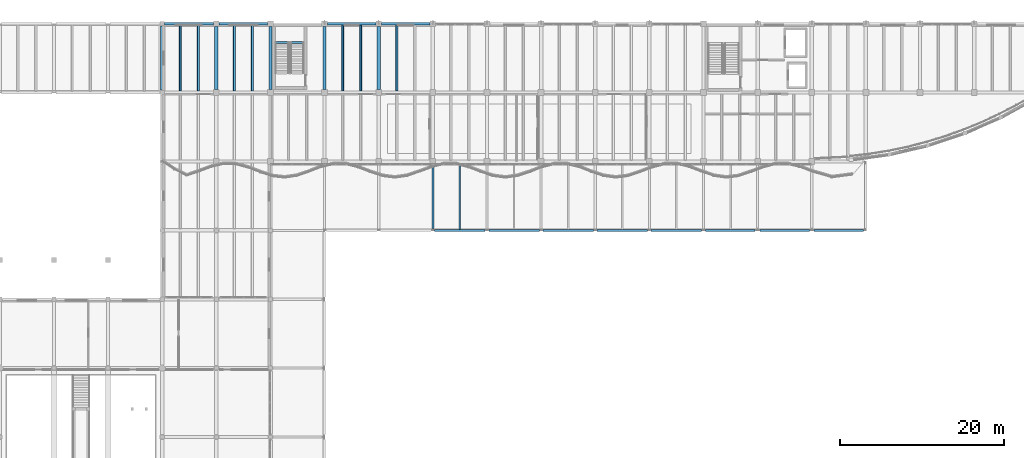
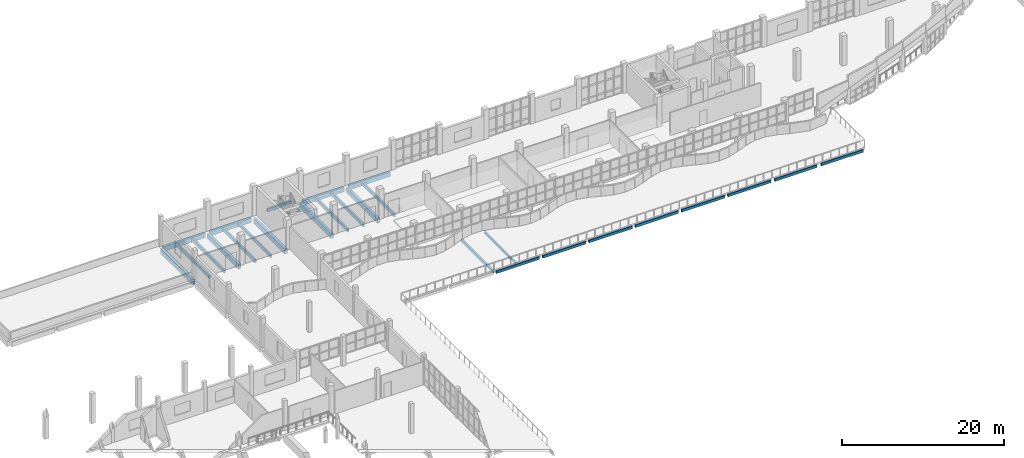
# One storey, part 12 of 83: 27 beams.
"""IFC4 building model written with IfcOpenShell, lengths in metres."""

import ifcopenshell
import ifcopenshell.guid

model = None  # the IFC model being written
_history = None  # IfcOwnerHistory: only IFC2X3 demands one
_inside = {}  # id of a spatial element -> (the spatial element, [elements in it])
_under = {}  # id of a project, library or spatial element -> (it, [spatial elements below it])
_declared = {}  # id of a project -> (the project, [libraries it declares])
_typed = {}  # id of a type object -> (the type object, [elements of that type])
_made_of = {}  # id of a material, layer set ... -> (it, [elements and type objects made of it])


def new_model(schema):
    """Start an empty IFC model of exactly this schema.

    Asked for "IFC4X3", IfcOpenShell would pick the latest addendum, in which some entities
    have other attributes; the version numbers below select the first issue.
    IFC2X3 requires an IfcOwnerHistory on every rooted entity: one is made here for all.
    """
    global model, _history
    if schema == "IFC4X3":
        model = ifcopenshell.file(schema_version=(4, 3, 0, 0))
    else:
        model = ifcopenshell.file(schema=schema)
    _inside.clear()
    _under.clear()
    _declared.clear()
    _typed.clear()
    _made_of.clear()
    _history = None
    if model.schema == "IFC2X3":
        org = make("IfcOrganization", Name="unknown")
        user = make(
            "IfcPersonAndOrganization",
            ThePerson=make("IfcPerson", FamilyName="unknown"),
            TheOrganization=org,
        )
        app = make(
            "IfcApplication",
            ApplicationDeveloper=org,
            Version="unknown",
            ApplicationFullName="unknown",
            ApplicationIdentifier="unknown",
        )
        _history = make(
            "IfcOwnerHistory",
            OwningUser=user,
            OwningApplication=app,
            ChangeAction="ADDED",
            CreationDate=0,
        )
    return model


def make(cls, **values):
    """One entity of the class cls with the attributes given. An attribute that is None is left unset."""
    return model.create_entity(
        cls, **{name: value for name, value in values.items() if value is not None}
    )


def rooted(cls, **values):
    """An entity with a GlobalId (a new one), such as an element, a storey or a relation."""
    return make(cls, GlobalId=ifcopenshell.guid.new(), OwnerHistory=_history, **values)


def si_unit(unit_type, name, prefix=None):
    """IfcSIUnit, for example si_unit("LENGTHUNIT", "METRE", prefix="MILLI")."""
    return make("IfcSIUnit", UnitType=unit_type, Prefix=prefix, Name=name)


def assignment(units):
    """IfcUnitAssignment: the units of a project."""
    return None if units is None else make("IfcUnitAssignment", Units=units)


def point(xyz):
    """IfcCartesianPoint."""
    return None if xyz is None else make("IfcCartesianPoint", Coordinates=xyz)


def direction(xyz):
    """IfcDirection."""
    return None if xyz is None else make("IfcDirection", DirectionRatios=xyz)


def frame(location, z_axis=None, x_axis=None):
    """IfcAxis2Placement3D, a coordinate frame: its origin and axes. An axis left out is left unset."""
    return make(
        "IfcAxis2Placement3D",
        Location=point(location),
        Axis=direction(z_axis),
        RefDirection=direction(x_axis),
    )


def frame_2d(location, x_axis=None):
    """IfcAxis2Placement2D, a coordinate frame in the plane: its origin and x axis."""
    return make(
        "IfcAxis2Placement2D", Location=point(location), RefDirection=direction(x_axis)
    )


def origin():
    """The frame at (0, 0, 0) with its axes left unset."""
    return frame((0.0, 0.0, 0.0))


def origin_2d():
    """The frame at (0, 0) in the plane with its x axis left unset."""
    return frame_2d((0.0, 0.0))


def place(relative_to, where):
    """IfcLocalPlacement: puts the frame where relative to a parent placement (None: the world)."""
    return make(
        "IfcLocalPlacement", PlacementRelTo=relative_to, RelativePlacement=where
    )


def context(
    kind, dimensions, precision=None, world=None, true_north=None, identifier=None
):
    """IfcGeometricRepresentationContext, for example the 3D "Model" context."""
    return make(
        "IfcGeometricRepresentationContext",
        ContextIdentifier=identifier,
        ContextType=kind,
        CoordinateSpaceDimension=dimensions,
        Precision=precision,
        WorldCoordinateSystem=world,
        TrueNorth=true_north,
    )


def subcontext(parent, identifier, kind, view, scale=None):
    """IfcGeometricRepresentationSubContext, for example "Body" below "Model"."""
    return make(
        "IfcGeometricRepresentationSubContext",
        ContextIdentifier=identifier,
        ContextType=kind,
        ParentContext=parent,
        TargetScale=scale,
        TargetView=view,
    )


def project(units=None, contexts=None):
    """IfcProject with its units and contexts."""
    return rooted(
        "IfcProject",
        Name="project",
        RepresentationContexts=contexts,
        UnitsInContext=assignment(units),
    )


def spatial(cls, under=None, at=None, **own):
    """A site, building, storey or space (cls), placed at a placement, below another one or the project."""
    s = rooted(cls, ObjectPlacement=at, **own)
    if under is not None:
        _under.setdefault(under.id(), (under, []))[1].append(s)
    return s


def profile(cls, at=None, kind="AREA", **sizes):
    """A parametric profile (cls). Its sizes go by their IFC names, for example OverallWidth=200.0."""
    return make(cls, ProfileType=kind, Position=at, **sizes)


def rectangle(**sizes):
    """IfcRectangleProfileDef."""
    return profile("IfcRectangleProfileDef", **sizes)


def i_section(**sizes):
    """IfcIShapeProfileDef."""
    return profile("IfcIShapeProfileDef", **sizes)


def extrude(swept, where, along, depth):
    """IfcExtrudedAreaSolid: the profile swept, set in the frame where, extruded along a direction by depth."""
    return make(
        "IfcExtrudedAreaSolid",
        SweptArea=swept,
        Position=where,
        ExtrudedDirection=direction(along),
        Depth=depth,
    )


def shape(context_of_items, identifier, shape_type, items):
    """IfcShapeRepresentation: the items that make up one representation, for example the "Body"."""
    return make(
        "IfcShapeRepresentation",
        ContextOfItems=context_of_items,
        RepresentationIdentifier=identifier,
        RepresentationType=shape_type,
        Items=items,
    )


def material(Name=None, Category=None):
    """IfcMaterial."""
    return make("IfcMaterial", Name=Name, Category=Category)


def material_profile(
    of_material, cross_section, Name=None, Category=None, Priority=None
):
    """IfcMaterialProfile: a cross section and its material."""
    return make(
        "IfcMaterialProfile",
        Name=Name,
        Material=of_material,
        Profile=cross_section,
        Priority=Priority,
        Category=Category,
    )


def profile_set(profiles, Name=None, composite=None):
    """IfcMaterialProfileSet."""
    return make(
        "IfcMaterialProfileSet",
        Name=Name,
        MaterialProfiles=profiles,
        CompositeProfile=composite,
    )


def made_of(thing, what):
    """Note that an element or type object is made of a material, layer set ...; save() writes the relation."""
    if what is not None:
        _made_of.setdefault(what.id(), (what, []))[1].append(thing)
    return thing


def type_object(cls, material=None, **own):
    """A type object (cls), such as IfcWallType, which elements share."""
    return made_of(rooted(cls, **own), material)


def element(
    cls,
    number,
    at=None,
    inside=None,
    cuts=None,
    type_object=None,
    material=None,
    context=None,
    identifier="Body",
    shape_type=None,
    held_by="IfcProductDefinitionShape",
    body=None,
    shapes=None,
    **own,
):
    """One element of the class cls, such as IfcWall. Its Tag is "e" and its number.

    at: its placement. inside: the storey or other place that contains it. cuts: it is an
    opening in that element (IfcRelVoidsElement). A single representation is given by context,
    identifier, shape_type and body (its items); several are given by shapes. held_by: the class
    of the entity that holds the representations. save() writes the other relations.
    """
    e = rooted(cls, Tag="e%d" % number, ObjectPlacement=at, **own)
    if body is not None:
        shapes = [shape(context, identifier, shape_type, body)]
    if shapes is not None:
        e.Representation = make(held_by, Representations=shapes)
    if inside is not None:
        _inside.setdefault(inside.id(), (inside, []))[1].append(e)
    if cuts is not None:
        rooted(
            "IfcRelVoidsElement", RelatingBuildingElement=cuts, RelatedOpeningElement=e
        )
    if type_object is not None:
        _typed.setdefault(type_object.id(), (type_object, []))[1].append(e)
    return made_of(e, material)


def aggregate(whole, parts):
    """IfcRelAggregates: a whole, such as a stair, and the parts it consists of."""
    return rooted("IfcRelAggregates", RelatingObject=whole, RelatedObjects=parts)


def save(model, path):
    """Write the relations noted so far, then the file.

    IfcRelAggregates (storeys below a building ...), IfcRelContainedInSpatialStructure (elements
    in a storey), IfcRelDefinesByType, IfcRelAssociatesMaterial and IfcRelDeclares: one each for
    every whole, place, type object, material and project.
    """
    for whole, parts in _under.values():
        aggregate(whole, parts)
    for where, things in _inside.values():
        rooted(
            "IfcRelContainedInSpatialStructure",
            RelatedElements=things,
            RelatingStructure=where,
        )
    for kind, things in _typed.values():
        rooted("IfcRelDefinesByType", RelatedObjects=things, RelatingType=kind)
    for what, things in _made_of.values():
        rooted("IfcRelAssociatesMaterial", RelatedObjects=things, RelatingMaterial=what)
    for by, libraries in _declared.values():
        rooted("IfcRelDeclares", RelatingContext=by, RelatedDefinitions=libraries)
    model.write(path)


model = new_model("IFC4")

# Units and contexts
model_context = context("Model", 3, precision=1e-05, world=origin(), true_north=direction((0.0, 1.0)))
body_context = subcontext(model_context, "Body", "Model", "MODEL_VIEW")
ifc_project = project(units=[si_unit("LENGTHUNIT", "METRE"), si_unit("AREAUNIT", "SQUARE_METRE"), si_unit("VOLUMEUNIT", "CUBIC_METRE"), si_unit("PLANEANGLEUNIT", "RADIAN"), si_unit("MASSUNIT", "GRAM", prefix="KILO")], contexts=[model_context])

# Site, building, storey
site_placement = place(None, origin())
site = spatial("IfcSite", under=ifc_project, at=site_placement, CompositionType="ELEMENT")
building_placement = place(site_placement, origin())
building = spatial("IfcBuilding", under=site, at=building_placement, Name="Qaldarim Faculty of Natural and Applied Sciences", CompositionType="ELEMENT")
storey_placement = place(building_placement, frame((0.0, 0.0, 5.39990234375)))
storey = spatial("IfcBuildingStorey", under=building, at=storey_placement, Name="L01", CompositionType="ELEMENT", Elevation=5.39990234375)

# Beams
ifc_material_1 = material(Name="Concrete C40/50", Category="concrete")
ifc_material_profile_1 = material_profile(ifc_material_1, rectangle(XDim=0.25, YDim=0.39990234375, at=origin_2d()), Name="RC-LN250x400")
ifc_profile_set_1 = profile_set([ifc_material_profile_1], Name="Concrete C40/50")
beam_type_1 = type_object("IfcBeamType", Name="ArcadeLintel-RC250x400", PredefinedType="LINTEL", material=ifc_profile_set_1)
beam_1_placement = place(storey_placement, frame((66.22509765625, 92.39990234375, -0.39990234375), z_axis=(1.0, 0.0, 0.0), x_axis=(0.0, 1.0, 0.0)))
element("IfcBeam", 1, at=beam_1_placement, inside=storey, type_object=beam_type_1, Name="Beam RC-LN250x400 L00 X11-X12/Y12", PredefinedType="LINTEL", context=body_context, shape_type="SweptSolid", body=[
    extrude(rectangle(XDim=0.25, YDim=0.39990234375, at=origin_2d()), origin(), (0.0, 0.0, 1.0), 6.14990234375),
])
beam_2_placement = place(storey_placement, frame((72.824951171875, 92.39990234375, -0.39990234375), z_axis=(1.0, 0.0, 0.0), x_axis=(0.0, 1.0, 0.0)))
element("IfcBeam", 2, at=beam_2_placement, inside=storey, type_object=beam_type_1, Name="Beam RC-LN250x400 L00 X12-X13/Y12", PredefinedType="LINTEL", context=body_context, shape_type="SweptSolid", body=[
    extrude(rectangle(XDim=0.25, YDim=0.39990234375, at=origin_2d()), origin(), (0.0, 0.0, 1.0), 6.150146484375),
])
beam_3_placement = place(storey_placement, frame((79.425048828125, 92.39990234375, -0.39990234375), z_axis=(1.0, 0.0, 0.0), x_axis=(0.0, 1.0, 0.0)))
element("IfcBeam", 3, at=beam_3_placement, inside=storey, type_object=beam_type_1, Name="Beam RC-LN250x400 L00 X13-X14/Y12", PredefinedType="LINTEL", context=body_context, shape_type="SweptSolid", body=[
    extrude(rectangle(XDim=0.25, YDim=0.39990234375, at=origin_2d()), origin(), (0.0, 0.0, 1.0), 6.14990234375),
])
beam_4_placement = place(storey_placement, frame((86.02490234375, 92.39990234375, -0.39990234375), z_axis=(1.0, 0.0, 0.0), x_axis=(0.0, 1.0, 0.0)))
element("IfcBeam", 4, at=beam_4_placement, inside=storey, type_object=beam_type_1, Name="Beam RC-LN250x400 L00 X14-X15/Y12", PredefinedType="LINTEL", context=body_context, shape_type="SweptSolid", body=[
    extrude(rectangle(XDim=0.25, YDim=0.39990234375, at=origin_2d()), origin(), (0.0, 0.0, 1.0), 6.150146484375),
])
beam_5_placement = place(storey_placement, frame((92.625, 92.39990234375, -0.39990234375), z_axis=(1.0, 0.0, 0.0), x_axis=(0.0, 1.0, 0.0)))
element("IfcBeam", 5, at=beam_5_placement, inside=storey, type_object=beam_type_1, Name="Beam RC-LN250x400 L00 X15-X16/Y12", PredefinedType="LINTEL", context=body_context, shape_type="SweptSolid", body=[
    extrude(rectangle(XDim=0.25, YDim=0.39990234375, at=origin_2d()), origin(), (0.0, 0.0, 1.0), 6.14990234375),
])
beam_6_placement = place(storey_placement, frame((99.22509765625, 92.39990234375, -0.39990234375), z_axis=(1.0, 0.0, 0.0), x_axis=(0.0, 1.0, 0.0)))
element("IfcBeam", 6, at=beam_6_placement, inside=storey, type_object=beam_type_1, Name="Beam RC-LN250x400 L00 X16-X17/Y12", PredefinedType="LINTEL", context=body_context, shape_type="SweptSolid", body=[
    extrude(rectangle(XDim=0.25, YDim=0.39990234375, at=origin_2d()), origin(), (0.0, 0.0, 1.0), 6.074951171875),
])
for number, where, z_axis, x_axis, name in (
    (7, (105.89990234375, 92.39990234375, -0.39990234375), (1.0, 0.0, 0.0), (0.0, 1.0, 0.0), "Beam RC-LN250x400 L00 X17-X18/Y12"),
    (8, (112.5, 92.39990234375, -0.39990234375), (1.0, 0.0, 0.0), (0.0, 1.0, 0.0), "Beam RC-LN250x400 L00 X18-X19/Y12"),
):
    element("IfcBeam", number, at=place(storey_placement, frame(where, z_axis=z_axis, x_axis=x_axis)), inside=storey, type_object=beam_type_1, Name=name, PredefinedType="LINTEL", context=body_context, shape_type="SweptSolid", body=[
        extrude(rectangle(XDim=0.25, YDim=0.39990234375, at=origin_2d()), origin(), (0.0, 0.0, 1.0), 6.0),
    ])
beam_7_placement = place(storey_placement, frame((66.0, 92.625, -0.39990234375), z_axis=(0.0, 1.0, 0.0), x_axis=(-1.0, 0.0, 0.0)))
element("IfcBeam", 9, at=beam_7_placement, inside=storey, type_object=beam_type_1, Name="Beam RC-LN250x400 L00 X11/Y12-Y13", PredefinedType="LINTEL", context=body_context, shape_type="SweptSolid", body=[
    extrude(rectangle(XDim=0.25, YDim=0.39990234375, at=origin_2d()), origin(), (0.0, 0.0, 1.0), 7.824951171875),
])
ifc_material_2 = material(Name="Structural steel S355", Category="steel")
ifc_material_profile_2 = material_profile(ifc_material_2, i_section(OverallWidth=0.169921875, OverallDepth=0.360107421875, WebThickness=0.008056640625, FlangeThickness=0.0126953125, at=origin_2d()), Name="IPE 360")
ifc_profile_set_2 = profile_set([ifc_material_profile_2], Name="Structural steel S355")
beam_type_2 = type_object("IfcBeamType", Name="CanopyBeam-IPE360", PredefinedType="BEAM", material=ifc_profile_set_2)
beam_8_placement = place(storey_placement, frame((69.300048828125, 92.52490234375, -0.3798828125), z_axis=(0.0, 1.0, 0.0), x_axis=(-1.0, 0.0, 0.0)))
element("IfcBeam", 10, at=beam_8_placement, inside=storey, type_object=beam_type_2, Name="Canopy steel beam IPE 360 bay X11", PredefinedType="BEAM", context=body_context, shape_type="SweptSolid", body=[
    extrude(i_section(OverallWidth=0.169921875, OverallDepth=0.360107421875, WebThickness=0.008056640625, FlangeThickness=0.0126953125, at=origin_2d()), origin(), (0.0, 0.0, 1.0), 8.10009765625),
])
ifc_material_profile_3 = material_profile(ifc_material_1, rectangle(XDim=0.239990234375, YDim=0.5, at=origin_2d()), Name="RC-J240x500")
ifc_profile_set_3 = profile_set([ifc_material_profile_3], Name="Concrete C40/50")
beam_type_3 = type_object("IfcBeamType", Name="HeavyJoist-RC240x500", PredefinedType="JOIST", material=ifc_profile_set_3)
for number, where, z_axis, x_axis, name in (
    (11, (35.199951171875, 109.39990234375, -0.5498046875), (0.0, 1.0, 0.0), (-1.0, 0.0, 0.0), "Laboratory joist L00 bay X06Y14-1"),
    (12, (37.39990234375, 109.39990234375, -0.5498046875), (0.0, 1.0, 0.0), (-1.0, 0.0, 0.0), "Laboratory joist L00 bay X06Y14-2"),
    (13, (41.800048828125, 109.39990234375, -0.5498046875), (0.0, 1.0, 0.0), (-1.0, 0.0, 0.0), "Laboratory joist L00 bay X07Y14-1"),
    (14, (44.0, 109.39990234375, -0.5498046875), (0.0, 1.0, 0.0), (-1.0, 0.0, 0.0), "Laboratory joist L00 bay X07Y14-2"),
    (15, (55.0, 109.39990234375, -0.5498046875), (0.0, 1.0, 0.0), (-1.0, 0.0, 0.0), "Laboratory joist L00 bay X09Y14-1"),
    (16, (57.199951171875, 109.39990234375, -0.5498046875), (0.0, 1.0, 0.0), (-1.0, 0.0, 0.0), "Laboratory joist L00 bay X09Y14-2"),
    (17, (61.60009765625, 109.39990234375, -0.5498046875), (0.0, 1.0, 0.0), (-1.0, 0.0, 0.0), "Laboratory joist L00 bay X10Y14-1"),
):
    element("IfcBeam", number, at=place(storey_placement, frame(where, z_axis=z_axis, x_axis=x_axis)), inside=storey, type_object=beam_type_3, Name=name, PredefinedType="JOIST", context=body_context, shape_type="SweptSolid", body=[
        extrude(rectangle(XDim=0.239990234375, YDim=0.5, at=origin_2d()), origin(), (0.0, 0.0, 1.0), 8.025146484375),
    ])
ifc_material_3 = material(Name="Concrete C50/60", Category="concrete")
ifc_material_profile_4 = material_profile(ifc_material_3, rectangle(XDim=0.39990234375, YDim=0.75, at=origin_2d()), Name="RC-B400x750")
ifc_profile_set_4 = profile_set([ifc_material_profile_4], Name="Concrete C50/60")
beam_type_4 = type_object("IfcBeamType", Name="LabGirder-RC400x750", PredefinedType="BEAM", material=ifc_profile_set_4)
beam_9_placement = place(storey_placement, frame((33.0, 109.5, -0.6748046875), z_axis=(0.0, 1.0, 0.0), x_axis=(-1.0, 0.0, 0.0)))
element("IfcBeam", 18, at=beam_9_placement, inside=storey, type_object=beam_type_4, Name="Beam RC-B400x750 L00 X06/Y14-Y15", PredefinedType="BEAM", context=body_context, shape_type="SweptSolid", body=[
    extrude(rectangle(XDim=0.39990234375, YDim=0.75, at=origin_2d()), origin(), (0.0, 0.0, 1.0), 7.800048828125),
])
for number, where, z_axis, x_axis, name in (
    (19, (39.60009765625, 109.550048828125, -0.6748046875), (0.0, 1.0, 0.0), (-1.0, 0.0, 0.0), "Beam RC-B400x750 L00 X07/Y14-Y15"),
    (20, (46.199951171875, 109.550048828125, -0.6748046875), (0.0, 1.0, 0.0), (-1.0, 0.0, 0.0), "Beam RC-B400x750 L00 X08/Y14-Y15"),
    (21, (52.800048828125, 109.550048828125, -0.6748046875), (0.0, 1.0, 0.0), (-1.0, 0.0, 0.0), "Beam RC-B400x750 L00 X09/Y14-Y15"),
    (22, (59.39990234375, 109.550048828125, -0.6748046875), (0.0, 1.0, 0.0), (-1.0, 0.0, 0.0), "Beam RC-B400x750 L00 X10/Y14-Y15"),
):
    element("IfcBeam", number, at=place(storey_placement, frame(where, z_axis=z_axis, x_axis=x_axis)), inside=storey, type_object=beam_type_4, Name=name, PredefinedType="BEAM", context=body_context, shape_type="SweptSolid", body=[
        extrude(rectangle(XDim=0.39990234375, YDim=0.75, at=origin_2d()), origin(), (0.0, 0.0, 1.0), 7.699951171875),
    ])
ifc_material_profile_5 = material_profile(ifc_material_1, rectangle(XDim=0.25, YDim=0.449951171875, at=origin_2d()), Name="RC-LN250x450")
ifc_profile_set_5 = profile_set([ifc_material_profile_5], Name="Concrete C40/50")
beam_type_5 = type_object("IfcBeamType", Name="LandingSupportBeam-RC250x450", PredefinedType="BEAM", material=ifc_profile_set_5)
beam_10_placement = place(storey_placement, frame((46.800048828125, 115.304931640625, 1.815185546875), z_axis=(1.0, 0.0, 0.0), x_axis=(0.0, 1.0, 0.0)))
element("IfcBeam", 23, at=beam_10_placement, inside=storey, type_object=beam_type_5, Name="Stair landing support beam ST-B2 L01", PredefinedType="BEAM", context=body_context, shape_type="SweptSolid", body=[
    extrude(rectangle(XDim=0.25, YDim=0.449951171875, at=origin_2d()), origin(), (0.0, 0.0, 1.0), 3.5),
])
ifc_material_profile_6 = material_profile(ifc_material_1, rectangle(XDim=0.35009765625, YDim=0.699951171875, at=origin_2d()), Name="RC-B350x700")
ifc_profile_set_6 = profile_set([ifc_material_profile_6], Name="Concrete C40/50")
beam_type_6 = type_object("IfcBeamType", Name="PrimaryGirder-RC350x700", PredefinedType="BEAM", material=ifc_profile_set_6)
beam_11_placement = place(storey_placement, frame((33.300048828125, 117.60009765625, -0.64990234375), z_axis=(1.0, 0.0, 0.0), x_axis=(0.0, 1.0, 0.0)))
element("IfcBeam", 24, at=beam_11_placement, inside=storey, type_object=beam_type_6, Name="Beam RC-B350x700 L00 X06-X07/Y15", PredefinedType="BEAM", context=body_context, shape_type="SweptSolid", body=[
    extrude(rectangle(XDim=0.35009765625, YDim=0.699951171875, at=origin_2d()), origin(), (0.0, 0.0, 1.0), 5.949951171875),
])
for number, where, z_axis, x_axis, name in (
    (25, (39.949951171875, 117.60009765625, -0.64990234375), (1.0, 0.0, 0.0), (0.0, 1.0, 0.0), "Beam RC-B350x700 L00 X07-X08/Y15"),
    (26, (53.14990234375, 117.60009765625, -0.64990234375), (1.0, 0.0, 0.0), (0.0, 1.0, 0.0), "Beam RC-B350x700 L00 X09-X10/Y15"),
):
    element("IfcBeam", number, at=place(storey_placement, frame(where, z_axis=z_axis, x_axis=x_axis)), inside=storey, type_object=beam_type_6, Name=name, PredefinedType="BEAM", context=body_context, shape_type="SweptSolid", body=[
        extrude(rectangle(XDim=0.35009765625, YDim=0.699951171875, at=origin_2d()), origin(), (0.0, 0.0, 1.0), 5.900146484375),
    ])
beam_12_placement = place(storey_placement, frame((59.75, 117.60009765625, -0.64990234375), z_axis=(1.0, 0.0, 0.0), x_axis=(0.0, 1.0, 0.0)))
element("IfcBeam", 27, at=beam_12_placement, inside=storey, type_object=beam_type_6, Name="Beam RC-B350x700 L00 X10-X11/Y15", PredefinedType="BEAM", context=body_context, shape_type="SweptSolid", body=[
    extrude(rectangle(XDim=0.35009765625, YDim=0.699951171875, at=origin_2d()), origin(), (0.0, 0.0, 1.0), 5.89990234375),
])

save(model, "model.ifc")
